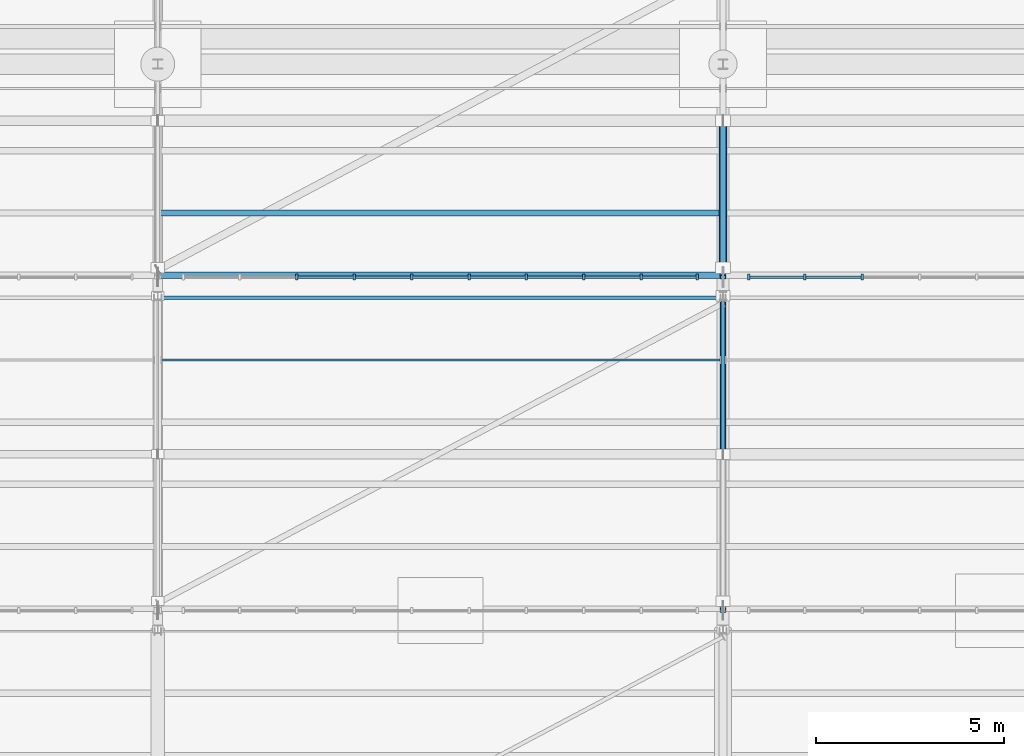
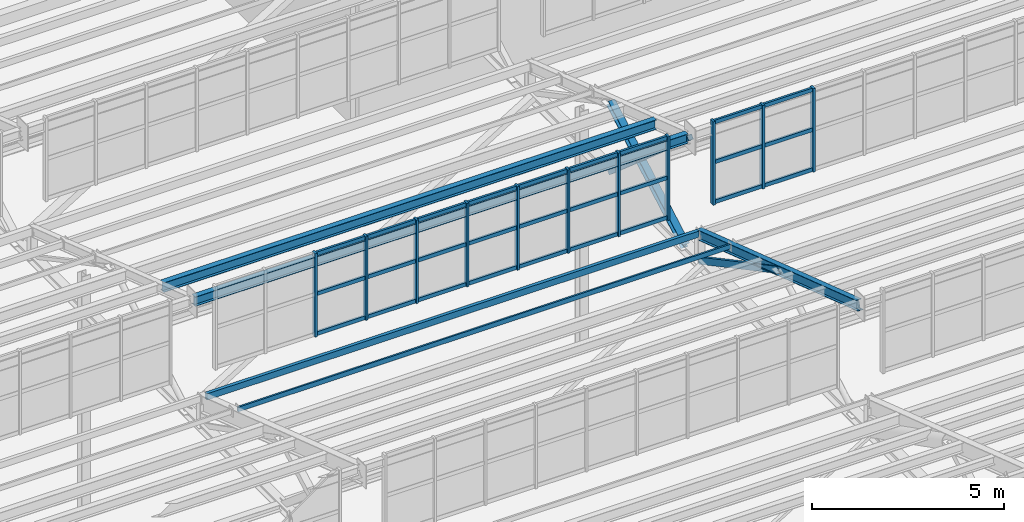
# One storey, part 71 of 285: 41 members, 5 beams, 2 elements without a shape of their own.
"""IFC4 building model written with IfcOpenShell, lengths in metres."""

from ifc_helpers import new_model, si_unit, direction, frame, origin, origin_2d, place, context, subcontext, project, spatial, rectangle, hollow_rectangle, i_section, extrude, material, material_profile, profile_set, type_object, element, aggregate, save


model = new_model("IFC4")

# Units and contexts
model_context = context("Model", 3, precision=1e-05, world=origin(), true_north=direction((0.0, 1.0)))
body_context = subcontext(model_context, "Body", "Model", "MODEL_VIEW")
ifc_project = project(units=[si_unit("LENGTHUNIT", "METRE"), si_unit("AREAUNIT", "SQUARE_METRE"), si_unit("VOLUMEUNIT", "CUBIC_METRE"), si_unit("PLANEANGLEUNIT", "RADIAN"), si_unit("MASSUNIT", "GRAM", prefix="KILO")], contexts=[model_context])

# Site, building, storey
site_placement = place(None, origin())
site = spatial("IfcSite", under=ifc_project, at=site_placement, CompositionType="ELEMENT")
building_placement = place(site_placement, origin())
building = spatial("IfcBuilding", under=site, at=building_placement, Name="Solanera Park Tramway Depot", CompositionType="ELEMENT")
storey_placement = place(building_placement, origin())
storey = spatial("IfcBuildingStorey", under=building, at=storey_placement, Name="L00", CompositionType="ELEMENT", Elevation=0.0)

# Curtain wall, members
ifc_material_1 = material(Name="Bronze-anodised thermally broken aluminium curtain wall", Category="aluminium")
curtain_wall_type = type_object("IfcCurtainWallType", Name="Sawtooth Clerestory Monitor Curtain Wall", PredefinedType="NOTDEFINED", material=ifc_material_1)
curtain_wall_1_placement = place(storey_placement, origin())
curtain_wall_1 = element("IfcCurtainWall", 1, at=curtain_wall_1_placement, inside=storey, type_object=curtain_wall_type, Name="L00 Sawtooth Clerestory Monitor Curtain Wall #046", PredefinedType="NOTDEFINED")
ifc_material_2 = material(Name="Bronze-anodised structural aluminium 6063-T6", Category="aluminium")
ifc_material_profile_1 = material_profile(ifc_material_2, rectangle(XDim=0.06494140625, YDim=0.14990234375, at=origin_2d()), Name="Curtain Wall Mullion 65x150")
ifc_profile_set_1 = profile_set([ifc_material_profile_1], Name="Bronze-anodised structural aluminium 6063-T6")
member_type_1 = type_object("IfcMemberType", Name="Curtain Wall Mullion 65x150", PredefinedType="MULLION", material=ifc_profile_set_1)
member_1_placement = place(storey_placement, frame((48.6943359375, 108.85009765625, 7.75), z_axis=(0.0, 0.0, 1.0), x_axis=(1.0, 0.0, 0.0)))
member_1 = element("IfcMember", 2, at=member_1_placement, type_object=member_type_1, Name="CW-L00-046 Mullion 3", PredefinedType="MULLION", context=body_context, shape_type="SweptSolid", body=[
    extrude(rectangle(XDim=0.06494140625, YDim=0.14990234375, at=origin_2d()), origin(), (0.0, 0.0, 1.0), 2.6611328125),
])
member_2_placement = place(storey_placement, frame((50.216796875, 108.85009765625, 7.75), z_axis=(0.0, 0.0, 1.0), x_axis=(1.0, 0.0, 0.0)))
member_2 = element("IfcMember", 3, at=member_2_placement, type_object=member_type_1, Name="CW-L00-046 Mullion 4", PredefinedType="MULLION", context=body_context, shape_type="SweptSolid", body=[
    extrude(rectangle(XDim=0.06494140625, YDim=0.14990234375, at=origin_2d()), origin(), (0.0, 0.0, 1.0), 2.6611328125),
])
member_3_placement = place(storey_placement, frame((51.739013671875, 108.85009765625, 7.75), z_axis=(0.0, 0.0, 1.0), x_axis=(1.0, 0.0, 0.0)))
member_3 = element("IfcMember", 4, at=member_3_placement, type_object=member_type_1, Name="CW-L00-046 Mullion 5", PredefinedType="MULLION", context=body_context, shape_type="SweptSolid", body=[
    extrude(rectangle(XDim=0.06494140625, YDim=0.14990234375, at=origin_2d()), origin(), (0.0, 0.0, 1.0), 2.6611328125),
])
member_4_placement = place(storey_placement, frame((53.260986328125, 108.85009765625, 7.75), z_axis=(0.0, 0.0, 1.0), x_axis=(1.0, 0.0, 0.0)))
member_4 = element("IfcMember", 5, at=member_4_placement, type_object=member_type_1, Name="CW-L00-046 Mullion 6", PredefinedType="MULLION", context=body_context, shape_type="SweptSolid", body=[
    extrude(rectangle(XDim=0.06494140625, YDim=0.14990234375, at=origin_2d()), origin(), (0.0, 0.0, 1.0), 2.6611328125),
])
member_5_placement = place(storey_placement, frame((54.783203125, 108.85009765625, 7.75), z_axis=(0.0, 0.0, 1.0), x_axis=(1.0, 0.0, 0.0)))
member_5 = element("IfcMember", 6, at=member_5_placement, type_object=member_type_1, Name="CW-L00-046 Mullion 7", PredefinedType="MULLION", context=body_context, shape_type="SweptSolid", body=[
    extrude(rectangle(XDim=0.06494140625, YDim=0.14990234375, at=origin_2d()), origin(), (0.0, 0.0, 1.0), 2.6611328125),
])
member_6_placement = place(storey_placement, frame((56.3056640625, 108.85009765625, 7.75), z_axis=(0.0, 0.0, 1.0), x_axis=(1.0, 0.0, 0.0)))
member_6 = element("IfcMember", 7, at=member_6_placement, type_object=member_type_1, Name="CW-L00-046 Mullion 8", PredefinedType="MULLION", context=body_context, shape_type="SweptSolid", body=[
    extrude(rectangle(XDim=0.06494140625, YDim=0.14990234375, at=origin_2d()), origin(), (0.0, 0.0, 1.0), 2.6611328125),
])
member_7_placement = place(storey_placement, frame((57.827880859375, 108.85009765625, 7.75), z_axis=(0.0, 0.0, 1.0), x_axis=(1.0, 0.0, 0.0)))
member_7 = element("IfcMember", 8, at=member_7_placement, type_object=member_type_1, Name="CW-L00-046 Mullion 9", PredefinedType="MULLION", context=body_context, shape_type="SweptSolid", body=[
    extrude(rectangle(XDim=0.06494140625, YDim=0.14990234375, at=origin_2d()), origin(), (0.0, 0.0, 1.0), 2.6611328125),
])
member_8_placement = place(storey_placement, frame((59.3173828125, 108.85009765625, 7.75), z_axis=(0.0, 0.0, 1.0), x_axis=(1.0, 0.0, 0.0)))
member_8 = element("IfcMember", 9, at=member_8_placement, type_object=member_type_1, Name="CW-L00-046 Mullion 10", PredefinedType="MULLION", context=body_context, shape_type="SweptSolid", body=[
    extrude(rectangle(XDim=0.06494140625, YDim=0.14990234375, at=origin_2d()), origin(), (0.0, 0.0, 1.0), 2.6611328125),
])

curtain_wall_2_placement = place(storey_placement, origin())
curtain_wall_2 = element("IfcCurtainWall", 10, at=curtain_wall_2_placement, inside=storey, type_object=curtain_wall_type, Name="L00 Sawtooth Clerestory Monitor Curtain Wall #047", PredefinedType="NOTDEFINED")
member_9_placement = place(storey_placement, frame((60.6826171875, 108.85009765625, 7.75), z_axis=(0.0, 0.0, 1.0), x_axis=(1.0, 0.0, 0.0)))
member_9 = element("IfcMember", 11, at=member_9_placement, type_object=member_type_1, Name="CW-L00-047 Mullion 1", PredefinedType="MULLION", context=body_context, shape_type="SweptSolid", body=[
    extrude(rectangle(XDim=0.06494140625, YDim=0.14990234375, at=origin_2d()), origin(), (0.0, 0.0, 1.0), 2.6611328125),
])
member_10_placement = place(storey_placement, frame((62.172119140625, 108.85009765625, 7.75), z_axis=(0.0, 0.0, 1.0), x_axis=(1.0, 0.0, 0.0)))
member_10 = element("IfcMember", 12, at=member_10_placement, type_object=member_type_1, Name="CW-L00-047 Mullion 2", PredefinedType="MULLION", context=body_context, shape_type="SweptSolid", body=[
    extrude(rectangle(XDim=0.06494140625, YDim=0.14990234375, at=origin_2d()), origin(), (0.0, 0.0, 1.0), 2.6611328125),
])
member_11_placement = place(storey_placement, frame((63.6943359375, 108.85009765625, 7.75), z_axis=(0.0, 0.0, 1.0), x_axis=(1.0, 0.0, 0.0)))
member_11 = element("IfcMember", 13, at=member_11_placement, type_object=member_type_1, Name="CW-L00-047 Mullion 3", PredefinedType="MULLION", context=body_context, shape_type="SweptSolid", body=[
    extrude(rectangle(XDim=0.06494140625, YDim=0.14990234375, at=origin_2d()), origin(), (0.0, 0.0, 1.0), 2.6611328125),
])

# Member
ifc_material_3 = material(Name="Bronze-anodised structural aluminium 6063-T6", Category="aluminium")
ifc_material_profile_2 = material_profile(ifc_material_3, rectangle(XDim=0.06494140625, YDim=0.1201171875, at=origin_2d()), Name="Curtain Wall Transom 65x120")
ifc_profile_set_2 = profile_set([ifc_material_profile_2], Name="Bronze-anodised structural aluminium 6063-T6")
member_type_2 = type_object("IfcMemberType", Name="Curtain Wall Transom 65x120", PredefinedType="USERDEFINED", material=ifc_profile_set_2)
member_12_placement = place(storey_placement, frame((48.722412109375, 108.85009765625, 7.81005859375), z_axis=(1.0, 0.0, 0.0), x_axis=(0.0, 1.0, 0.0)))
member_12 = element("IfcMember", 14, at=member_12_placement, type_object=member_type_2, Name="CW-L00-046 Transom R1.C3", ObjectType="TRANSOM", PredefinedType="USERDEFINED", context=body_context, shape_type="SweptSolid", body=[
    extrude(rectangle(XDim=0.06494140625, YDim=0.1201171875, at=origin_2d()), origin(), (0.0, 0.0, 1.0), 1.46630859375),
])

member_13_placement = place(storey_placement, frame((50.24462890625, 108.85009765625, 7.81005859375), z_axis=(1.0, 0.0, 0.0), x_axis=(0.0, 1.0, 0.0)))
member_13 = element("IfcMember", 15, at=member_13_placement, type_object=member_type_2, Name="CW-L00-046 Transom R1.C4", ObjectType="TRANSOM", PredefinedType="USERDEFINED", context=body_context, shape_type="SweptSolid", body=[
    extrude(rectangle(XDim=0.06494140625, YDim=0.1201171875, at=origin_2d()), origin(), (0.0, 0.0, 1.0), 1.46630859375),
])

member_14_placement = place(storey_placement, frame((51.766845703125, 108.85009765625, 7.81005859375), z_axis=(1.0, 0.0, 0.0), x_axis=(0.0, 1.0, 0.0)))
member_14 = element("IfcMember", 16, at=member_14_placement, type_object=member_type_2, Name="CW-L00-046 Transom R1.C5", ObjectType="TRANSOM", PredefinedType="USERDEFINED", context=body_context, shape_type="SweptSolid", body=[
    extrude(rectangle(XDim=0.06494140625, YDim=0.1201171875, at=origin_2d()), origin(), (0.0, 0.0, 1.0), 1.46630859375),
])

member_15_placement = place(storey_placement, frame((53.2890625, 108.85009765625, 7.81005859375), z_axis=(1.0, 0.0, 0.0), x_axis=(0.0, 1.0, 0.0)))
member_15 = element("IfcMember", 17, at=member_15_placement, type_object=member_type_2, Name="CW-L00-046 Transom R1.C6", ObjectType="TRANSOM", PredefinedType="USERDEFINED", context=body_context, shape_type="SweptSolid", body=[
    extrude(rectangle(XDim=0.06494140625, YDim=0.1201171875, at=origin_2d()), origin(), (0.0, 0.0, 1.0), 1.46630859375),
])

member_16_placement = place(storey_placement, frame((54.811279296875, 108.85009765625, 7.81005859375), z_axis=(1.0, 0.0, 0.0), x_axis=(0.0, 1.0, 0.0)))
member_16 = element("IfcMember", 18, at=member_16_placement, type_object=member_type_2, Name="CW-L00-046 Transom R1.C7", ObjectType="TRANSOM", PredefinedType="USERDEFINED", context=body_context, shape_type="SweptSolid", body=[
    extrude(rectangle(XDim=0.06494140625, YDim=0.1201171875, at=origin_2d()), origin(), (0.0, 0.0, 1.0), 1.46630859375),
])

member_17_placement = place(storey_placement, frame((56.33349609375, 108.85009765625, 7.81005859375), z_axis=(1.0, 0.0, 0.0), x_axis=(0.0, 1.0, 0.0)))
member_17 = element("IfcMember", 19, at=member_17_placement, type_object=member_type_2, Name="CW-L00-046 Transom R1.C8", ObjectType="TRANSOM", PredefinedType="USERDEFINED", context=body_context, shape_type="SweptSolid", body=[
    extrude(rectangle(XDim=0.06494140625, YDim=0.1201171875, at=origin_2d()), origin(), (0.0, 0.0, 1.0), 1.46630859375),
])

member_18_placement = place(storey_placement, frame((57.855712890625, 108.85009765625, 7.81005859375), z_axis=(1.0, 0.0, 0.0), x_axis=(0.0, 1.0, 0.0)))
member_18 = element("IfcMember", 20, at=member_18_placement, type_object=member_type_2, Name="CW-L00-046 Transom R1.C9", ObjectType="TRANSOM", PredefinedType="USERDEFINED", context=body_context, shape_type="SweptSolid", body=[
    extrude(rectangle(XDim=0.06494140625, YDim=0.1201171875, at=origin_2d()), origin(), (0.0, 0.0, 1.0), 1.433837890625),
])

member_19_placement = place(storey_placement, frame((48.722412109375, 108.85009765625, 9.08056640625), z_axis=(1.0, 0.0, 0.0), x_axis=(0.0, 1.0, 0.0)))
member_19 = element("IfcMember", 21, at=member_19_placement, type_object=member_type_2, Name="CW-L00-046 Transom R2.C3", ObjectType="TRANSOM", PredefinedType="USERDEFINED", context=body_context, shape_type="SweptSolid", body=[
    extrude(rectangle(XDim=0.06494140625, YDim=0.1201171875, at=origin_2d()), origin(), (0.0, 0.0, 1.0), 1.46630859375),
])

member_20_placement = place(storey_placement, frame((50.24462890625, 108.85009765625, 9.08056640625), z_axis=(1.0, 0.0, 0.0), x_axis=(0.0, 1.0, 0.0)))
member_20 = element("IfcMember", 22, at=member_20_placement, type_object=member_type_2, Name="CW-L00-046 Transom R2.C4", ObjectType="TRANSOM", PredefinedType="USERDEFINED", context=body_context, shape_type="SweptSolid", body=[
    extrude(rectangle(XDim=0.06494140625, YDim=0.1201171875, at=origin_2d()), origin(), (0.0, 0.0, 1.0), 1.46630859375),
])

member_21_placement = place(storey_placement, frame((51.766845703125, 108.85009765625, 9.08056640625), z_axis=(1.0, 0.0, 0.0), x_axis=(0.0, 1.0, 0.0)))
member_21 = element("IfcMember", 23, at=member_21_placement, type_object=member_type_2, Name="CW-L00-046 Transom R2.C5", ObjectType="TRANSOM", PredefinedType="USERDEFINED", context=body_context, shape_type="SweptSolid", body=[
    extrude(rectangle(XDim=0.06494140625, YDim=0.1201171875, at=origin_2d()), origin(), (0.0, 0.0, 1.0), 1.46630859375),
])

member_22_placement = place(storey_placement, frame((53.2890625, 108.85009765625, 9.08056640625), z_axis=(1.0, 0.0, 0.0), x_axis=(0.0, 1.0, 0.0)))
member_22 = element("IfcMember", 24, at=member_22_placement, type_object=member_type_2, Name="CW-L00-046 Transom R2.C6", ObjectType="TRANSOM", PredefinedType="USERDEFINED", context=body_context, shape_type="SweptSolid", body=[
    extrude(rectangle(XDim=0.06494140625, YDim=0.1201171875, at=origin_2d()), origin(), (0.0, 0.0, 1.0), 1.46630859375),
])

member_23_placement = place(storey_placement, frame((54.811279296875, 108.85009765625, 9.08056640625), z_axis=(1.0, 0.0, 0.0), x_axis=(0.0, 1.0, 0.0)))
member_23 = element("IfcMember", 25, at=member_23_placement, type_object=member_type_2, Name="CW-L00-046 Transom R2.C7", ObjectType="TRANSOM", PredefinedType="USERDEFINED", context=body_context, shape_type="SweptSolid", body=[
    extrude(rectangle(XDim=0.06494140625, YDim=0.1201171875, at=origin_2d()), origin(), (0.0, 0.0, 1.0), 1.46630859375),
])

member_24_placement = place(storey_placement, frame((56.33349609375, 108.85009765625, 9.08056640625), z_axis=(1.0, 0.0, 0.0), x_axis=(0.0, 1.0, 0.0)))
member_24 = element("IfcMember", 26, at=member_24_placement, type_object=member_type_2, Name="CW-L00-046 Transom R2.C8", ObjectType="TRANSOM", PredefinedType="USERDEFINED", context=body_context, shape_type="SweptSolid", body=[
    extrude(rectangle(XDim=0.06494140625, YDim=0.1201171875, at=origin_2d()), origin(), (0.0, 0.0, 1.0), 1.46630859375),
])

member_25_placement = place(storey_placement, frame((57.855712890625, 108.85009765625, 9.08056640625), z_axis=(1.0, 0.0, 0.0), x_axis=(0.0, 1.0, 0.0)))
member_25 = element("IfcMember", 27, at=member_25_placement, type_object=member_type_2, Name="CW-L00-046 Transom R2.C9", ObjectType="TRANSOM", PredefinedType="USERDEFINED", context=body_context, shape_type="SweptSolid", body=[
    extrude(rectangle(XDim=0.06494140625, YDim=0.1201171875, at=origin_2d()), origin(), (0.0, 0.0, 1.0), 1.433837890625),
])

member_26_placement = place(storey_placement, frame((48.722412109375, 108.85009765625, 10.351318359375), z_axis=(1.0, 0.0, 0.0), x_axis=(0.0, 1.0, 0.0)))
member_26 = element("IfcMember", 28, at=member_26_placement, type_object=member_type_2, Name="CW-L00-046 Transom R3.C3", ObjectType="TRANSOM", PredefinedType="USERDEFINED", context=body_context, shape_type="SweptSolid", body=[
    extrude(rectangle(XDim=0.06494140625, YDim=0.1201171875, at=origin_2d()), origin(), (0.0, 0.0, 1.0), 1.46630859375),
])

member_27_placement = place(storey_placement, frame((50.24462890625, 108.85009765625, 10.351318359375), z_axis=(1.0, 0.0, 0.0), x_axis=(0.0, 1.0, 0.0)))
member_27 = element("IfcMember", 29, at=member_27_placement, type_object=member_type_2, Name="CW-L00-046 Transom R3.C4", ObjectType="TRANSOM", PredefinedType="USERDEFINED", context=body_context, shape_type="SweptSolid", body=[
    extrude(rectangle(XDim=0.06494140625, YDim=0.1201171875, at=origin_2d()), origin(), (0.0, 0.0, 1.0), 1.46630859375),
])

member_28_placement = place(storey_placement, frame((51.766845703125, 108.85009765625, 10.351318359375), z_axis=(1.0, 0.0, 0.0), x_axis=(0.0, 1.0, 0.0)))
member_28 = element("IfcMember", 30, at=member_28_placement, type_object=member_type_2, Name="CW-L00-046 Transom R3.C5", ObjectType="TRANSOM", PredefinedType="USERDEFINED", context=body_context, shape_type="SweptSolid", body=[
    extrude(rectangle(XDim=0.06494140625, YDim=0.1201171875, at=origin_2d()), origin(), (0.0, 0.0, 1.0), 1.46630859375),
])

member_29_placement = place(storey_placement, frame((53.2890625, 108.85009765625, 10.351318359375), z_axis=(1.0, 0.0, 0.0), x_axis=(0.0, 1.0, 0.0)))
member_29 = element("IfcMember", 31, at=member_29_placement, type_object=member_type_2, Name="CW-L00-046 Transom R3.C6", ObjectType="TRANSOM", PredefinedType="USERDEFINED", context=body_context, shape_type="SweptSolid", body=[
    extrude(rectangle(XDim=0.06494140625, YDim=0.1201171875, at=origin_2d()), origin(), (0.0, 0.0, 1.0), 1.46630859375),
])

member_30_placement = place(storey_placement, frame((54.811279296875, 108.85009765625, 10.351318359375), z_axis=(1.0, 0.0, 0.0), x_axis=(0.0, 1.0, 0.0)))
member_30 = element("IfcMember", 32, at=member_30_placement, type_object=member_type_2, Name="CW-L00-046 Transom R3.C7", ObjectType="TRANSOM", PredefinedType="USERDEFINED", context=body_context, shape_type="SweptSolid", body=[
    extrude(rectangle(XDim=0.06494140625, YDim=0.1201171875, at=origin_2d()), origin(), (0.0, 0.0, 1.0), 1.46630859375),
])

member_31_placement = place(storey_placement, frame((56.33349609375, 108.85009765625, 10.351318359375), z_axis=(1.0, 0.0, 0.0), x_axis=(0.0, 1.0, 0.0)))
member_31 = element("IfcMember", 33, at=member_31_placement, type_object=member_type_2, Name="CW-L00-046 Transom R3.C8", ObjectType="TRANSOM", PredefinedType="USERDEFINED", context=body_context, shape_type="SweptSolid", body=[
    extrude(rectangle(XDim=0.06494140625, YDim=0.1201171875, at=origin_2d()), origin(), (0.0, 0.0, 1.0), 1.46630859375),
])

member_32_placement = place(storey_placement, frame((57.855712890625, 108.85009765625, 10.351318359375), z_axis=(1.0, 0.0, 0.0), x_axis=(0.0, 1.0, 0.0)))
member_32 = element("IfcMember", 34, at=member_32_placement, type_object=member_type_2, Name="CW-L00-046 Transom R3.C9", ObjectType="TRANSOM", PredefinedType="USERDEFINED", context=body_context, shape_type="SweptSolid", body=[
    extrude(rectangle(XDim=0.06494140625, YDim=0.1201171875, at=origin_2d()), origin(), (0.0, 0.0, 1.0), 1.433837890625),
])

aggregate(curtain_wall_1, [member_1, member_2, member_3, member_4, member_5, member_6, member_7, member_8, member_12, member_13, member_14, member_15, member_16, member_17, member_18, member_19, member_20, member_21, member_22, member_23, member_24, member_25, member_26, member_27, member_28, member_29, member_30, member_31, member_32])

member_33_placement = place(storey_placement, frame((60.71044921875, 108.85009765625, 7.81005859375), z_axis=(1.0, 0.0, 0.0), x_axis=(0.0, 1.0, 0.0)))
member_33 = element("IfcMember", 35, at=member_33_placement, type_object=member_type_2, Name="CW-L00-047 Transom R1.C1", ObjectType="TRANSOM", PredefinedType="USERDEFINED", context=body_context, shape_type="SweptSolid", body=[
    extrude(rectangle(XDim=0.06494140625, YDim=0.1201171875, at=origin_2d()), origin(), (0.0, 0.0, 1.0), 1.433837890625),
])

member_34_placement = place(storey_placement, frame((62.2001953125, 108.85009765625, 7.81005859375), z_axis=(1.0, 0.0, 0.0), x_axis=(0.0, 1.0, 0.0)))
member_34 = element("IfcMember", 36, at=member_34_placement, type_object=member_type_2, Name="CW-L00-047 Transom R1.C2", ObjectType="TRANSOM", PredefinedType="USERDEFINED", context=body_context, shape_type="SweptSolid", body=[
    extrude(rectangle(XDim=0.06494140625, YDim=0.1201171875, at=origin_2d()), origin(), (0.0, 0.0, 1.0), 1.46630859375),
])

member_35_placement = place(storey_placement, frame((60.71044921875, 108.85009765625, 9.08056640625), z_axis=(1.0, 0.0, 0.0), x_axis=(0.0, 1.0, 0.0)))
member_35 = element("IfcMember", 37, at=member_35_placement, type_object=member_type_2, Name="CW-L00-047 Transom R2.C1", ObjectType="TRANSOM", PredefinedType="USERDEFINED", context=body_context, shape_type="SweptSolid", body=[
    extrude(rectangle(XDim=0.06494140625, YDim=0.1201171875, at=origin_2d()), origin(), (0.0, 0.0, 1.0), 1.433837890625),
])

member_36_placement = place(storey_placement, frame((62.2001953125, 108.85009765625, 9.08056640625), z_axis=(1.0, 0.0, 0.0), x_axis=(0.0, 1.0, 0.0)))
member_36 = element("IfcMember", 38, at=member_36_placement, type_object=member_type_2, Name="CW-L00-047 Transom R2.C2", ObjectType="TRANSOM", PredefinedType="USERDEFINED", context=body_context, shape_type="SweptSolid", body=[
    extrude(rectangle(XDim=0.06494140625, YDim=0.1201171875, at=origin_2d()), origin(), (0.0, 0.0, 1.0), 1.46630859375),
])

member_37_placement = place(storey_placement, frame((60.71044921875, 108.85009765625, 10.351318359375), z_axis=(1.0, 0.0, 0.0), x_axis=(0.0, 1.0, 0.0)))
member_37 = element("IfcMember", 39, at=member_37_placement, type_object=member_type_2, Name="CW-L00-047 Transom R3.C1", ObjectType="TRANSOM", PredefinedType="USERDEFINED", context=body_context, shape_type="SweptSolid", body=[
    extrude(rectangle(XDim=0.06494140625, YDim=0.1201171875, at=origin_2d()), origin(), (0.0, 0.0, 1.0), 1.433837890625),
])

member_38_placement = place(storey_placement, frame((62.2001953125, 108.85009765625, 10.351318359375), z_axis=(1.0, 0.0, 0.0), x_axis=(0.0, 1.0, 0.0)))
member_38 = element("IfcMember", 40, at=member_38_placement, type_object=member_type_2, Name="CW-L00-047 Transom R3.C2", ObjectType="TRANSOM", PredefinedType="USERDEFINED", context=body_context, shape_type="SweptSolid", body=[
    extrude(rectangle(XDim=0.06494140625, YDim=0.1201171875, at=origin_2d()), origin(), (0.0, 0.0, 1.0), 1.46630859375),
])

aggregate(curtain_wall_2, [member_9, member_10, member_11, member_33, member_34, member_35, member_36, member_37, member_38])

ifc_material_4 = material(Name="Steel AS/NZS 3679.1 Grade 350", Category="steel")
ifc_material_profile_3 = material_profile(ifc_material_4, i_section(OverallWidth=0.205078125, OverallDepth=0.209716796875, WebThickness=0.00927734375, FlangeThickness=0.01416015625, at=origin_2d()), Name="200UC59.5")
ifc_profile_set_3 = profile_set([ifc_material_profile_3], Name="Steel AS/NZS 3679.1 Grade 350")
member_type_3 = type_object("IfcMemberType", Name="Roof Gantry Compression Strut 200UC59.5", PredefinedType="STRUT", material=ifc_profile_set_3)
member_39_placement = place(storey_placement, frame((60.0, 109.10009765625, 6.5), z_axis=(0.0, 0.869202540842, 0.49445620938), x_axis=(-1.0, 0.0, 0.0)))
element("IfcMember", 41, at=member_39_placement, inside=storey, type_object=member_type_3, Name="Sawtooth ROOF TRUSS Strut 200UC59.5 #0287", PredefinedType="STRUT", context=body_context, shape_type="SweptSolid", body=[
    extrude(i_section(OverallWidth=0.205078125, OverallDepth=0.209716796875, WebThickness=0.00927734375, FlangeThickness=0.01416015625, at=origin_2d()), origin(), (0.0, 0.0, 1.0), 4.48681640625),
])

# Beams
ifc_material_5 = material(Name="Steel AS/NZS 3679.1 Grade 350", Category="steel")
ifc_material_profile_4 = material_profile(ifc_material_5, i_section(OverallWidth=0.166015625, OverallDepth=0.30712890625, WebThickness=0.006591796875, FlangeThickness=0.01171875, at=origin_2d()), Name="310UB46.2")
ifc_profile_set_4 = profile_set([ifc_material_profile_4], Name="Steel AS/NZS 3679.1 Grade 350")
beam_type_1 = type_object("IfcBeamType", Name="Steel Beam 310UB46.2", PredefinedType="BEAM", material=ifc_profile_set_4)
beam_1_placement = place(storey_placement, frame((60.0, 100.0, 10.131103515625), z_axis=(0.0, 0.948330572612, -0.317283981709), x_axis=(-1.0, 0.0, 0.0)))
element("IfcBeam", 42, at=beam_1_placement, inside=storey, type_object=beam_type_1, Name="Sawtooth ROOF TRUSS Top Rafter 310UB46.2 B06-T5", PredefinedType="BEAM", context=body_context, shape_type="SweptSolid", body=[
    extrude(i_section(OverallWidth=0.166015625, OverallDepth=0.30712890625, WebThickness=0.006591796875, FlangeThickness=0.01171875, at=origin_2d()), origin(), (0.0, 0.0, 1.0), 8.804931640625),
])
ifc_material_6 = material(Name="Steel AS/NZS 1163 Grade C350L0", Category="steel")
ifc_material_profile_5 = material_profile(ifc_material_6, hollow_rectangle(XDim=0.050048828125, YDim=0.14990234375, WallThickness=0.0048828125, at=origin_2d()), Name="150x50x5.0 RHS")
ifc_profile_set_5 = profile_set([ifc_material_profile_5], Name="Steel AS/NZS 1163 Grade C350L0")
beam_type_2 = type_object("IfcBeamType", Name="Steel Joist Purlin 150x50x5.0 RHS", PredefinedType="JOIST", material=ifc_profile_set_5)
beam_2_placement = place(storey_placement, frame((45.0966796875, 106.64990234375, 7.998291015625), z_axis=(1.0, 0.0, 0.0), x_axis=(0.0, 1.0, 0.0)))
element("IfcBeam", 43, at=beam_2_placement, inside=storey, type_object=beam_type_2, Name="Sawtooth Roof Purlin 150x50x5.0 RHS B06.5", PredefinedType="JOIST", context=body_context, shape_type="SweptSolid", body=[
    extrude(hollow_rectangle(XDim=0.050048828125, YDim=0.14990234375, WallThickness=0.0048828125, at=origin_2d()), origin(), (0.0, 0.0, 1.0), 14.828369140625),
])
ifc_material_7 = material(Name="Steel AS/NZS 1163 Grade C350L0", Category="steel")
ifc_material_profile_6 = material_profile(ifc_material_7, hollow_rectangle(XDim=0.10009765625, YDim=0.199951171875, WallThickness=0.006103515625, at=origin_2d()), Name="200x100x6.0 RHS")
ifc_profile_set_6 = profile_set([ifc_material_profile_6], Name="Steel AS/NZS 1163 Grade C350L0")
beam_type_3 = type_object("IfcBeamType", Name="Steel Joist Purlin 200x100x6.0 RHS", PredefinedType="JOIST", material=ifc_profile_set_6)
beam_3_placement = place(storey_placement, frame((45.0966796875, 108.300048828125, 7.412841796875), z_axis=(1.0, 0.0, 0.0), x_axis=(0.0, 1.0, 0.0)))
element("IfcBeam", 44, at=beam_3_placement, inside=storey, type_object=beam_type_3, Name="Sawtooth Roof Purlin 200x100x6.0 RHS B06.6", PredefinedType="JOIST", context=body_context, shape_type="SweptSolid", body=[
    extrude(hollow_rectangle(XDim=0.10009765625, YDim=0.199951171875, WallThickness=0.006103515625, at=origin_2d()), origin(), (0.0, 0.0, 1.0), 14.828369140625),
])
ifc_material_8 = material(Name="Steel AS/NZS 3679.1 Grade 350", Category="steel")
ifc_material_profile_7 = material_profile(ifc_material_8, i_section(OverallWidth=0.1650390625, OverallDepth=0.3037109375, WebThickness=0.006103515625, FlangeThickness=0.01025390625, at=origin_2d()), Name="310UB40.4")
ifc_profile_set_7 = profile_set([ifc_material_profile_7], Name="Steel AS/NZS 3679.1 Grade 350")
beam_type_4 = type_object("IfcBeamType", Name="Steel Joist Purlin 310UB40.4", PredefinedType="JOIST", material=ifc_profile_set_7)
beam_4_placement = place(storey_placement, frame((45.074951171875, 108.89990234375, 10.110595703125), z_axis=(1.0, 0.0, 0.0), x_axis=(0.0, 1.0, 0.0)))
element("IfcBeam", 45, at=beam_4_placement, inside=storey, type_object=beam_type_4, Name="Sawtooth Roof Purlin 310UB40.4 B07.1", PredefinedType="JOIST", context=body_context, shape_type="SweptSolid", body=[
    extrude(i_section(OverallWidth=0.1650390625, OverallDepth=0.3037109375, WebThickness=0.006103515625, FlangeThickness=0.01025390625, at=origin_2d()), origin(), (0.0, 0.0, 1.0), 14.84716796875),
])
ifc_material_9 = material(Name="Steel AS/NZS 3679.1 Grade 350", Category="steel")
ifc_material_profile_8 = material_profile(ifc_material_9, i_section(OverallWidth=0.166015625, OverallDepth=0.30712890625, WebThickness=0.006591796875, FlangeThickness=0.01171875, at=origin_2d()), Name="310UB46.2")
ifc_profile_set_8 = profile_set([ifc_material_profile_8], Name="Steel AS/NZS 3679.1 Grade 350")
beam_type_5 = type_object("IfcBeamType", Name="Steel Joist Purlin 310UB46.2", PredefinedType="JOIST", material=ifc_profile_set_8)
beam_5_placement = place(storey_placement, frame((45.074951171875, 110.550048828125, 9.556640625), z_axis=(1.0, 0.0, 0.0), x_axis=(0.0, 1.0, 0.0)))
element("IfcBeam", 46, at=beam_5_placement, inside=storey, type_object=beam_type_5, Name="Sawtooth Roof Purlin 310UB46.2 B07.2", PredefinedType="JOIST", context=body_context, shape_type="SweptSolid", body=[
    extrude(i_section(OverallWidth=0.166015625, OverallDepth=0.30712890625, WebThickness=0.006591796875, FlangeThickness=0.01171875, at=origin_2d()), origin(), (0.0, 0.0, 1.0), 14.84716796875),
])

# Members
ifc_material_10 = material(Name="Steel AS/NZS 1163 Grade C350L0", Category="steel")
ifc_material_profile_9 = material_profile(ifc_material_10, hollow_rectangle(XDim=0.14990234375, YDim=0.14990234375, WallThickness=0.006103515625, at=origin_2d()), Name="150x150x6.0 SHS")
ifc_profile_set_9 = profile_set([ifc_material_profile_9], Name="Steel AS/NZS 1163 Grade C350L0")
member_type_4 = type_object("IfcMemberType", Name="Truss and Frame Brace 150x150x6.0 SHS", PredefinedType="BRACE", material=ifc_profile_set_9)
member_40_placement = place(storey_placement, frame((60.0, 113.0, 6.5), z_axis=(0.0, -0.754756538157, 0.656005006162), x_axis=(1.0, 0.0, 0.0)))
element("IfcMember", 47, at=member_40_placement, inside=storey, type_object=member_type_4, Name="Sawtooth ROOF TRUSS Web Brace 150x150x6.0 SHS #0285", PredefinedType="BRACE", context=body_context, shape_type="SweptSolid", body=[
    extrude(hollow_rectangle(XDim=0.14990234375, YDim=0.14990234375, WallThickness=0.006103515625, at=origin_2d()), origin(), (0.0, 0.0, 1.0), 5.498291015625),
])
ifc_material_11 = material(Name="Steel AS/NZS 1163 Grade C350L0", Category="steel")
ifc_material_profile_10 = material_profile(ifc_material_11, hollow_rectangle(XDim=0.10009765625, YDim=0.199951171875, WallThickness=0.006103515625, at=origin_2d()), Name="200x100x6.0 RHS")
ifc_profile_set_10 = profile_set([ifc_material_profile_10], Name="Steel AS/NZS 1163 Grade C350L0")
member_type_5 = type_object("IfcMemberType", Name="Truss and Frame Brace 200x100x6.0 RHS", PredefinedType="BRACE", material=ifc_profile_set_10)
member_41_placement = place(storey_placement, frame((60.0, 108.35009765625, 6.5), z_axis=(0.0, -0.88212858105, 0.471008669235), x_axis=(1.0, 0.0, 0.0)))
element("IfcMember", 48, at=member_41_placement, inside=storey, type_object=member_type_5, Name="Sawtooth ROOF TRUSS Diagonal 200x100x6.0 RHS #0239", PredefinedType="BRACE", context=body_context, shape_type="SweptSolid", body=[
    extrude(hollow_rectangle(XDim=0.10009765625, YDim=0.199951171875, WallThickness=0.006103515625, at=origin_2d()), origin(), (0.0, 0.0, 1.0), 4.761474609375),
])

save(model, "model.ifc")
